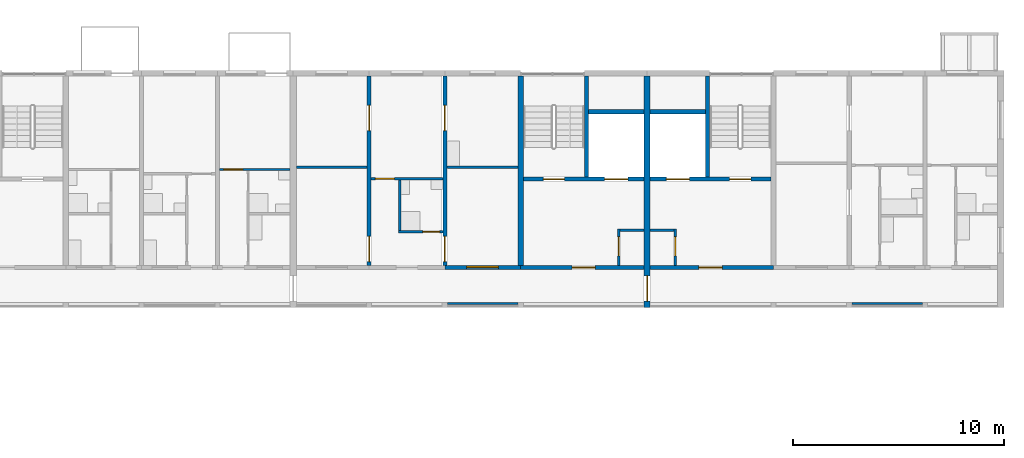
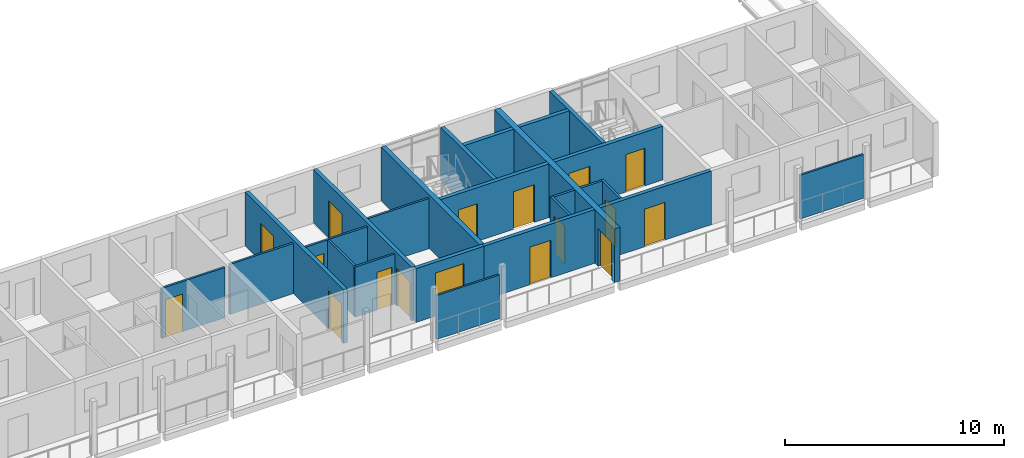
# One storey, part 57 of 98: 25 walls, 16 doors, 1 window, 17 openings.
"""IFC4 building model written with IfcOpenShell, lengths in metres."""

from ifc_helpers import new_model, si_unit, direction, frame, frame_2d, origin, place, context, subcontext, project, spatial, rectangle, extrude, material, layer, layer_set, type_object, element, fill, save


model = new_model("IFC4")

# Units and contexts
model_context = context("Model", 3, precision=1e-05, world=origin(), true_north=direction((0.0, 1.0)))
body_context = subcontext(model_context, "Body", "Model", "MODEL_VIEW")
ifc_project = project(units=[si_unit("LENGTHUNIT", "METRE"), si_unit("AREAUNIT", "SQUARE_METRE"), si_unit("VOLUMEUNIT", "CUBIC_METRE"), si_unit("PLANEANGLEUNIT", "RADIAN"), si_unit("MASSUNIT", "GRAM", prefix="KILO")], contexts=[model_context])

# Site, building, storey
site_placement = place(None, origin())
site = spatial("IfcSite", under=ifc_project, at=site_placement, CompositionType="ELEMENT")
building_placement = place(site_placement, origin())
building = spatial("IfcBuilding", under=site, at=building_placement, Name="Ridgestep Commons", CompositionType="ELEMENT")
storey_placement = place(building_placement, frame((0.0, 0.0, 12.0)))
storey = spatial("IfcBuildingStorey", under=building, at=storey_placement, Name="L04", CompositionType="ELEMENT", Elevation=12.0)

# Wall
ifc_material_1 = material(Name="Concrete C30/37", Category="concrete")
ifc_layer_1 = layer(ifc_material_1, 0.25)
ifc_layer_set_1 = layer_set([ifc_layer_1], Name="Core cross wall 250")
wall_type_1 = type_object("IfcWallType", Name="Core cross wall 250", PredefinedType="SHEAR", material=ifc_layer_set_1)
wall_1_placement = place(storey_placement, frame((224.800048828125, 68.0, 0.0), z_axis=(0.0, 0.0, 1.0), x_axis=(0.0, 1.0, 0.0)))
element("IfcWall", 1, at=wall_1_placement, inside=storey, type_object=wall_type_1, Name="Cross wall C-04-2248", PredefinedType="SHEAR", context=body_context, shape_type="SweptSolid", body=[
    extrude(rectangle(XDim=9.0, YDim=0.25, at=frame_2d((4.5, 0.0))), origin(), (0.0, 0.0, 1.0), 3.0),
])

# Wall, opening, door
ifc_material_2 = material(Name="Concrete C30/37", Category="concrete")
ifc_layer_2 = layer(ifc_material_2, 0.199951171875)
ifc_layer_set_2 = layer_set([ifc_layer_2], Name="Core south wall 200")
wall_type_2 = type_object("IfcWallType", Name="Core south wall 200", PredefinedType="SHEAR", material=ifc_layer_set_2)
wall_2_placement = place(storey_placement, frame((224.800048828125, 67.89990234375, 0.0), z_axis=(0.0, 0.0, 1.0), x_axis=(1.0, 0.0, 0.0)))
wall_2 = element("IfcWall", 2, at=wall_2_placement, inside=storey, type_object=wall_type_2, Name="Core south wall C5C L04", PredefinedType="SHEAR", context=body_context, shape_type="SweptSolid", body=[
    extrude(rectangle(XDim=5.849853515625, YDim=0.199951171875, at=frame_2d((2.9248046875, 0.0))), origin(), (0.0, 0.0, 1.0), 3.0),
])
opening_1_placement = place(wall_2_placement, frame((2.4375, 0.0, 0.0)))
opening_1 = element("IfcOpeningElement", 3, at=opening_1_placement, cuts=wall_2, Name="Opening C5C/04/1", PredefinedType="OPENING", context=body_context, shape_type="SweptSolid", body=[
    extrude(rectangle(XDim=1.10009765625, YDim=2.10009765625, at=frame_2d((0.550048828125, 1.050048828125))), frame((0.0, 0.10986328125, 0.0), z_axis=(0.0, -1.0, 0.0), x_axis=(1.0, 0.0, 0.0)), (0.0, 0.0, 1.0), 0.219970703125),
])
ifc_material_3 = material(Name="Steel fire door", Category="steel")
door_type_1 = type_object("IfcDoorType", Name="Lobby door 1100 x 2100 FD60", OperationType="NOTDEFINED", PredefinedType="DOOR", material=ifc_material_3)
door_1_placement = place(opening_1_placement, origin())
door_1 = element("IfcDoor", 4, at=door_1_placement, inside=storey, type_object=door_type_1, Name="Lobby door C5C/04/1", OperationType="SINGLE_SWING_LEFT", OverallHeight=2.10009765625, OverallWidth=1.10009765625, PredefinedType="DOOR", context=body_context, shape_type="SweptSolid", body=[
    extrude(rectangle(XDim=1.10009765625, YDim=2.10009765625, at=frame_2d((0.550048828125, 1.050048828125))), frame((0.0, 0.02490234375, 0.0), z_axis=(0.0, -1.0, 0.0), x_axis=(1.0, 0.0, 0.0)), (0.0, 0.0, 1.0), 0.050048828125),
])
fill(opening_1, door_1)

wall_3_placement = place(storey_placement, frame((230.949951171875, 67.89990234375, 0.0), z_axis=(0.0, 0.0, 1.0), x_axis=(1.0, 0.0, 0.0)))
wall_3 = element("IfcWall", 5, at=wall_3_placement, inside=storey, type_object=wall_type_2, Name="Core south wall C6C L04", PredefinedType="SHEAR", context=body_context, shape_type="SweptSolid", body=[
    extrude(rectangle(XDim=5.85009765625, YDim=0.199951171875, at=frame_2d((2.925048828125, 0.0))), origin(), (0.0, 0.0, 1.0), 3.0),
])
opening_2_placement = place(wall_3_placement, frame((2.3125, 0.0, 0.0)))
opening_2 = element("IfcOpeningElement", 6, at=opening_2_placement, cuts=wall_3, Name="Opening C6C/04/1", PredefinedType="OPENING", context=body_context, shape_type="SweptSolid", body=[
    extrude(rectangle(XDim=1.10009765625, YDim=2.10009765625, at=frame_2d((0.550048828125, 1.050048828125))), frame((0.0, 0.10986328125, 0.0), z_axis=(0.0, -1.0, 0.0), x_axis=(1.0, 0.0, 0.0)), (0.0, 0.0, 1.0), 0.219970703125),
])
door_2_placement = place(opening_2_placement, origin())
door_2 = element("IfcDoor", 7, at=door_2_placement, inside=storey, type_object=door_type_1, Name="Lobby door C6C/04/1", OperationType="SINGLE_SWING_LEFT", OverallHeight=2.10009765625, OverallWidth=1.10009765625, PredefinedType="DOOR", context=body_context, shape_type="SweptSolid", body=[
    extrude(rectangle(XDim=1.10009765625, YDim=2.10009765625, at=frame_2d((0.550048828125, 1.050048828125))), frame((0.0, 0.02490234375, 0.0), z_axis=(0.0, -1.0, 0.0), x_axis=(1.0, 0.0, 0.0)), (0.0, 0.0, 1.0), 0.050048828125),
])
fill(opening_2, door_2)

ifc_material_4 = material(Name="Concrete C30/37", Category="concrete")
ifc_layer_3 = layer(ifc_material_4, 0.1201171875)
ifc_layer_set_3 = layer_set([ifc_layer_3], Name="Core wall 120")
wall_type_3 = type_object("IfcWallType", Name="Core wall 120", PredefinedType="SHEAR", material=ifc_layer_set_3)
wall_4_placement = place(storey_placement, frame((229.4599609375, 68.0, 0.0), z_axis=(0.0, 0.0, 1.0), x_axis=(0.0, 1.0, 0.0)))
wall_4 = element("IfcWall", 8, at=wall_4_placement, inside=storey, type_object=wall_type_3, Name="Core riser w wall C5C L04", PredefinedType="SHEAR", context=body_context, shape_type="SweptSolid", body=[
    extrude(rectangle(XDim=1.719970703125, YDim=0.1201171875, at=frame_2d((0.85986328125, 0.0))), origin(), (0.0, 0.0, 1.0), 3.0),
])
opening_3_placement = place(wall_4_placement, frame((0.449951171875, 0.0, 0.0)))
opening_3 = element("IfcOpeningElement", 9, at=opening_3_placement, cuts=wall_4, Name="Opening C5C/04/4", PredefinedType="OPENING", context=body_context, shape_type="SweptSolid", body=[
    extrude(rectangle(XDim=0.89990234375, YDim=2.10009765625, at=frame_2d((0.449951171875, 1.050048828125))), frame((0.0, 0.070068359375, 0.0), z_axis=(0.0, -1.0, 0.0), x_axis=(1.0, 0.0, 0.0)), (0.0, 0.0, 1.0), 0.14013671875),
])
ifc_material_5 = material(Name="Steel fire door", Category="steel")
door_type_2 = type_object("IfcDoorType", Name="Riser door 900 x 2100 FD60", OperationType="NOTDEFINED", PredefinedType="DOOR", material=ifc_material_5)
door_3_placement = place(opening_3_placement, origin())
door_3 = element("IfcDoor", 10, at=door_3_placement, inside=storey, type_object=door_type_2, Name="Riser door C5C/04/4", OperationType="SINGLE_SWING_LEFT", OverallHeight=2.10009765625, OverallWidth=0.89990234375, PredefinedType="DOOR", context=body_context, shape_type="SweptSolid", body=[
    extrude(rectangle(XDim=0.89990234375, YDim=2.10009765625, at=frame_2d((0.449951171875, 1.050048828125))), frame((0.0, 0.02490234375, 0.0), z_axis=(0.0, -1.0, 0.0), x_axis=(1.0, 0.0, 0.0)), (0.0, 0.0, 1.0), 0.050048828125),
])
fill(opening_3, door_3)

# Wall
wall_5_placement = place(storey_placement, frame((229.52001953125, 69.659912109375, 0.0), z_axis=(0.0, 0.0, 1.0), x_axis=(1.0, 0.0, 0.0)))
element("IfcWall", 11, at=wall_5_placement, inside=storey, type_object=wall_type_3, Name="Core riser n wall C5C L04", PredefinedType="SHEAR", context=body_context, shape_type="SweptSolid", body=[
    extrude(rectangle(XDim=1.1298828125, YDim=0.1201171875, at=frame_2d((0.56494140625, 0.0))), origin(), (0.0, 0.0, 1.0), 3.0),
])

# Wall, opening, door
wall_6_placement = place(storey_placement, frame((232.139892578125, 68.0, 0.0), z_axis=(0.0, 0.0, 1.0), x_axis=(0.0, 1.0, 0.0)))
wall_6 = element("IfcWall", 12, at=wall_6_placement, inside=storey, type_object=wall_type_3, Name="Core riser w wall C6C L04", PredefinedType="SHEAR", context=body_context, shape_type="SweptSolid", body=[
    extrude(rectangle(XDim=1.719970703125, YDim=0.1201171875, at=frame_2d((0.85986328125, 0.0))), origin(), (0.0, 0.0, 1.0), 3.0),
])
opening_4_placement = place(wall_6_placement, frame((0.449951171875, 0.0, 0.0)))
opening_4 = element("IfcOpeningElement", 13, at=opening_4_placement, cuts=wall_6, Name="Opening C6C/04/4", PredefinedType="OPENING", context=body_context, shape_type="SweptSolid", body=[
    extrude(rectangle(XDim=0.89990234375, YDim=2.10009765625, at=frame_2d((0.449951171875, 1.050048828125))), frame((0.0, 0.070068359375, 0.0), z_axis=(0.0, -1.0, 0.0), x_axis=(1.0, 0.0, 0.0)), (0.0, 0.0, 1.0), 0.14013671875),
])
door_4_placement = place(opening_4_placement, origin())
door_4 = element("IfcDoor", 14, at=door_4_placement, inside=storey, type_object=door_type_2, Name="Riser door C6C/04/4", OperationType="SINGLE_SWING_RIGHT", OverallHeight=2.10009765625, OverallWidth=0.89990234375, PredefinedType="DOOR", context=body_context, shape_type="SweptSolid", body=[
    extrude(rectangle(XDim=0.89990234375, YDim=2.10009765625, at=frame_2d((0.449951171875, 1.050048828125))), frame((0.0, 0.02490234375, 0.0), z_axis=(0.0, -1.0, 0.0), x_axis=(1.0, 0.0, 0.0)), (0.0, 0.0, 1.0), 0.050048828125),
])
fill(opening_4, door_4)

# Wall
wall_7_placement = place(storey_placement, frame((230.949951171875, 69.659912109375, 0.0), z_axis=(0.0, 0.0, 1.0), x_axis=(1.0, 0.0, 0.0)))
element("IfcWall", 15, at=wall_7_placement, inside=storey, type_object=wall_type_3, Name="Core riser n wall C6C L04", PredefinedType="SHEAR", context=body_context, shape_type="SweptSolid", body=[
    extrude(rectangle(XDim=1.130126953125, YDim=0.1201171875, at=frame_2d((0.56494140625, 0.0))), origin(), (0.0, 0.0, 1.0), 3.0),
])

# Wall, openings, doors
ifc_material_6 = material(Name="Concrete C30/37", Category="concrete")
ifc_layer_4 = layer(ifc_material_6, 0.199951171875)
ifc_layer_set_4 = layer_set([ifc_layer_4], Name="Core wall 200")
wall_type_4 = type_object("IfcWallType", Name="Core wall 200", PredefinedType="SHEAR", material=ifc_layer_set_4)
wall_8_placement = place(storey_placement, frame((224.925048828125, 72.10009765625, 0.0), z_axis=(0.0, 0.0, 1.0), x_axis=(1.0, 0.0, 0.0)))
wall_8 = element("IfcWall", 16, at=wall_8_placement, inside=storey, type_object=wall_type_4, Name="Core lobby wall C5C L04", PredefinedType="SHEAR", context=body_context, shape_type="SweptSolid", body=[
    extrude(rectangle(XDim=5.724853515625, YDim=0.199951171875, at=frame_2d((2.8623046875, 0.0))), origin(), (0.0, 0.0, 1.0), 3.0),
])
opening_5_placement = place(wall_8_placement, frame((0.949951171875, 0.0, 0.0)))
opening_5 = element("IfcOpeningElement", 17, at=opening_5_placement, cuts=wall_8, Name="Opening C5C/04/2", PredefinedType="OPENING", context=body_context, shape_type="SweptSolid", body=[
    extrude(rectangle(XDim=1.0, YDim=2.10009765625, at=frame_2d((0.5, 1.050048828125))), frame((0.0, 0.10986328125, 0.0), z_axis=(0.0, -1.0, 0.0), x_axis=(1.0, 0.0, 0.0)), (0.0, 0.0, 1.0), 0.219970703125),
])
opening_6_placement = place(wall_8_placement, frame((3.862548828125, 0.0, 0.0)))
opening_6 = element("IfcOpeningElement", 18, at=opening_6_placement, cuts=wall_8, Name="Opening C5C/04/3", PredefinedType="OPENING", context=body_context, shape_type="SweptSolid", body=[
    extrude(rectangle(XDim=1.10009765625, YDim=2.10009765625, at=frame_2d((0.550048828125, 1.050048828125))), frame((0.0, 0.10986328125, 0.0), z_axis=(0.0, -1.0, 0.0), x_axis=(1.0, 0.0, 0.0)), (0.0, 0.0, 1.0), 0.219970703125),
])
ifc_material_7 = material(Name="Stainless steel", Category="steel")
door_type_3 = type_object("IfcDoorType", Name="Lift landing door 1100 x 2100 FD60", OperationType="DOUBLE_DOOR_SLIDING", PredefinedType="DOOR", material=ifc_material_7)
door_5_placement = place(opening_6_placement, origin())
door_5 = element("IfcDoor", 19, at=door_5_placement, inside=storey, type_object=door_type_3, Name="Landing door LD C5C L04", OperationType="DOUBLE_DOOR_SLIDING", OverallHeight=2.10009765625, OverallWidth=1.10009765625, PredefinedType="DOOR", context=body_context, shape_type="SweptSolid", body=[
    extrude(rectangle(XDim=1.10009765625, YDim=2.10009765625, at=frame_2d((0.550048828125, 1.050048828125))), frame((0.0, 0.02490234375, 0.0), z_axis=(0.0, -1.0, 0.0), x_axis=(1.0, 0.0, 0.0)), (0.0, 0.0, 1.0), 0.050048828125),
])
fill(opening_6, door_5)
ifc_material_8 = material(Name="Steel fire door", Category="steel")
door_type_4 = type_object("IfcDoorType", Name="Stair door 1000 x 2100 FD60", OperationType="NOTDEFINED", PredefinedType="DOOR", material=ifc_material_8)
door_6_placement = place(opening_5_placement, origin())
door_6 = element("IfcDoor", 20, at=door_6_placement, inside=storey, type_object=door_type_4, Name="Stair door C5C/04/2", OperationType="SINGLE_SWING_RIGHT", OverallHeight=2.10009765625, OverallWidth=1.0, PredefinedType="DOOR", context=body_context, shape_type="SweptSolid", body=[
    extrude(rectangle(XDim=1.0, YDim=2.10009765625, at=frame_2d((0.5, 1.050048828125))), frame((0.0, 0.02490234375, 0.0), z_axis=(0.0, -1.0, 0.0), x_axis=(1.0, 0.0, 0.0)), (0.0, 0.0, 1.0), 0.050048828125),
])
fill(opening_5, door_6)

# Walls
wall_9_placement = place(storey_placement, frame((227.925048828125, 72.199951171875, 0.0), z_axis=(0.0, 0.0, 1.0), x_axis=(0.0, 1.0, 0.0)))
element("IfcWall", 21, at=wall_9_placement, inside=storey, type_object=wall_type_4, Name="Core stair wall C5C L04", PredefinedType="SHEAR", context=body_context, shape_type="SweptSolid", body=[
    extrude(rectangle(XDim=4.800048828125, YDim=0.199951171875, at=frame_2d((2.39990234375, 0.0))), origin(), (0.0, 0.0, 1.0), 3.0),
])
wall_10_placement = place(storey_placement, frame((228.02490234375, 75.300048828125, 0.0), z_axis=(0.0, 0.0, 1.0), x_axis=(1.0, 0.0, 0.0)))
element("IfcWall", 22, at=wall_10_placement, inside=storey, type_object=wall_type_4, Name="Core duct wall C5C L04", PredefinedType="SHEAR", context=body_context, shape_type="SweptSolid", body=[
    extrude(rectangle(XDim=2.625, YDim=0.199951171875, at=frame_2d((1.3125, 0.0))), origin(), (0.0, 0.0, 1.0), 3.0),
])

# Wall, openings, doors
wall_11_placement = place(storey_placement, frame((230.949951171875, 72.10009765625, 0.0), z_axis=(0.0, 0.0, 1.0), x_axis=(1.0, 0.0, 0.0)))
wall_11 = element("IfcWall", 23, at=wall_11_placement, inside=storey, type_object=wall_type_4, Name="Core lobby wall C6C L04", PredefinedType="SHEAR", context=body_context, shape_type="SweptSolid", body=[
    extrude(rectangle(XDim=5.72509765625, YDim=0.199951171875, at=frame_2d((2.862548828125, 0.0))), origin(), (0.0, 0.0, 1.0), 3.0),
])
opening_7_placement = place(wall_11_placement, frame((3.77490234375, 0.0, 0.0)))
opening_7 = element("IfcOpeningElement", 24, at=opening_7_placement, cuts=wall_11, Name="Opening C6C/04/2", PredefinedType="OPENING", context=body_context, shape_type="SweptSolid", body=[
    extrude(rectangle(XDim=1.0, YDim=2.10009765625, at=frame_2d((0.5, 1.050048828125))), frame((0.0, 0.10986328125, 0.0), z_axis=(0.0, -1.0, 0.0), x_axis=(1.0, 0.0, 0.0)), (0.0, 0.0, 1.0), 0.219970703125),
])
opening_8_placement = place(wall_11_placement, frame((0.762451171875, 0.0, 0.0)))
opening_8 = element("IfcOpeningElement", 25, at=opening_8_placement, cuts=wall_11, Name="Opening C6C/04/3", PredefinedType="OPENING", context=body_context, shape_type="SweptSolid", body=[
    extrude(rectangle(XDim=1.10009765625, YDim=2.10009765625, at=frame_2d((0.550048828125, 1.050048828125))), frame((0.0, 0.10986328125, 0.0), z_axis=(0.0, -1.0, 0.0), x_axis=(1.0, 0.0, 0.0)), (0.0, 0.0, 1.0), 0.219970703125),
])
door_7_placement = place(opening_8_placement, origin())
door_7 = element("IfcDoor", 26, at=door_7_placement, inside=storey, type_object=door_type_3, Name="Landing door LD C6C L04", OperationType="DOUBLE_DOOR_SLIDING", OverallHeight=2.10009765625, OverallWidth=1.10009765625, PredefinedType="DOOR", context=body_context, shape_type="SweptSolid", body=[
    extrude(rectangle(XDim=1.10009765625, YDim=2.10009765625, at=frame_2d((0.550048828125, 1.050048828125))), frame((0.0, 0.02490234375, 0.0), z_axis=(0.0, -1.0, 0.0), x_axis=(1.0, 0.0, 0.0)), (0.0, 0.0, 1.0), 0.050048828125),
])
fill(opening_8, door_7)
door_8_placement = place(opening_7_placement, origin())
door_8 = element("IfcDoor", 27, at=door_8_placement, inside=storey, type_object=door_type_4, Name="Stair door C6C/04/2", OperationType="SINGLE_SWING_RIGHT", OverallHeight=2.10009765625, OverallWidth=1.0, PredefinedType="DOOR", context=body_context, shape_type="SweptSolid", body=[
    extrude(rectangle(XDim=1.0, YDim=2.10009765625, at=frame_2d((0.5, 1.050048828125))), frame((0.0, 0.02490234375, 0.0), z_axis=(0.0, -1.0, 0.0), x_axis=(1.0, 0.0, 0.0)), (0.0, 0.0, 1.0), 0.050048828125),
])
fill(opening_7, door_8)

# Walls
wall_12_placement = place(storey_placement, frame((233.675048828125, 72.199951171875, 0.0), z_axis=(0.0, 0.0, 1.0), x_axis=(0.0, 1.0, 0.0)))
element("IfcWall", 28, at=wall_12_placement, inside=storey, type_object=wall_type_4, Name="Core stair wall C6C L04", PredefinedType="SHEAR", context=body_context, shape_type="SweptSolid", body=[
    extrude(rectangle(XDim=4.800048828125, YDim=0.199951171875, at=frame_2d((2.39990234375, 0.0))), origin(), (0.0, 0.0, 1.0), 3.0),
])
wall_13_placement = place(storey_placement, frame((230.949951171875, 75.300048828125, 0.0), z_axis=(0.0, 0.0, 1.0), x_axis=(1.0, 0.0, 0.0)))
element("IfcWall", 29, at=wall_13_placement, inside=storey, type_object=wall_type_4, Name="Core duct wall C6C L04", PredefinedType="SHEAR", context=body_context, shape_type="SweptSolid", body=[
    extrude(rectangle(XDim=2.625, YDim=0.199951171875, at=frame_2d((1.3125, 0.0))), origin(), (0.0, 0.0, 1.0), 3.0),
])

# Wall, openings, doors
ifc_material_9 = material(Name="Precast concrete C40/50", Category="concrete")
ifc_layer_5 = layer(ifc_material_9, 0.199951171875)
ifc_layer_set_5 = layer_set([ifc_layer_5], Name="Cross wall 200")
wall_type_5 = type_object("IfcWallType", Name="Cross wall 200", PredefinedType="SHEAR", material=ifc_layer_set_5)
wall_14_placement = place(storey_placement, frame((217.60009765625, 68.0, 0.0), z_axis=(0.0, 0.0, 1.0), x_axis=(0.0, 1.0, 0.0)))
wall_14 = element("IfcWall", 30, at=wall_14_placement, inside=storey, type_object=wall_type_5, Name="Cross wall C-04-2176", PredefinedType="SHEAR", context=body_context, shape_type="SweptSolid", body=[
    extrude(rectangle(XDim=9.0, YDim=0.199951171875, at=frame_2d((4.5, 0.0))), origin(), (0.0, 0.0, 1.0), 3.0),
])
opening_9_placement = place(wall_14_placement, frame((0.175048828125, 0.0, 0.0)))
opening_9 = element("IfcOpeningElement", 31, at=opening_9_placement, cuts=wall_14, Name="Opening C5-04a/4", PredefinedType="OPENING", context=body_context, shape_type="SweptSolid", body=[
    extrude(rectangle(XDim=1.199951171875, YDim=2.10009765625, at=frame_2d((0.60009765625, 1.050048828125))), frame((0.0, 0.10986328125, 0.0), z_axis=(0.0, -1.0, 0.0), x_axis=(1.0, 0.0, 0.0)), (0.0, 0.0, 1.0), 0.219970703125),
])
opening_10_placement = place(wall_14_placement, frame((6.39990234375, 0.0, 0.0)))
opening_10 = element("IfcOpeningElement", 32, at=opening_10_placement, cuts=wall_14, Name="Opening C5-04a/5", PredefinedType="OPENING", context=body_context, shape_type="SweptSolid", body=[
    extrude(rectangle(XDim=1.199951171875, YDim=2.10009765625, at=frame_2d((0.60009765625, 1.050048828125))), frame((0.0, 0.10986328125, 0.0), z_axis=(0.0, -1.0, 0.0), x_axis=(1.0, 0.0, 0.0)), (0.0, 0.0, 1.0), 0.219970703125),
])
ifc_material_10 = material(Name="Timber door leaf", Category="wood")
door_type_5 = type_object("IfcDoorType", Name="Double door 1200 x 2100", OperationType="DOUBLE_DOOR_SINGLE_SWING", PredefinedType="DOOR", material=ifc_material_10)
door_9_placement = place(opening_9_placement, origin())
door_9 = element("IfcDoor", 33, at=door_9_placement, inside=storey, type_object=door_type_5, Name="Double door C5-04a/4", OperationType="DOUBLE_DOOR_SINGLE_SWING", OverallHeight=2.10009765625, OverallWidth=1.199951171875, PredefinedType="DOOR", context=body_context, shape_type="SweptSolid", body=[
    extrude(rectangle(XDim=1.199951171875, YDim=2.10009765625, at=frame_2d((0.60009765625, 1.050048828125))), frame((0.0, 0.02490234375, 0.0), z_axis=(0.0, -1.0, 0.0), x_axis=(1.0, 0.0, 0.0)), (0.0, 0.0, 1.0), 0.050048828125),
])
fill(opening_9, door_9)
door_10_placement = place(opening_10_placement, origin())
door_10 = element("IfcDoor", 34, at=door_10_placement, inside=storey, type_object=door_type_5, Name="Double door C5-04a/5", OperationType="DOUBLE_DOOR_SINGLE_SWING", OverallHeight=2.10009765625, OverallWidth=1.199951171875, PredefinedType="DOOR", context=body_context, shape_type="SweptSolid", body=[
    extrude(rectangle(XDim=1.199951171875, YDim=2.10009765625, at=frame_2d((0.60009765625, 1.050048828125))), frame((0.0, 0.02490234375, 0.0), z_axis=(0.0, -1.0, 0.0), x_axis=(1.0, 0.0, 0.0)), (0.0, 0.0, 1.0), 0.050048828125),
])
fill(opening_10, door_10)

wall_15_placement = place(storey_placement, frame((221.199951171875, 68.0, 0.0), z_axis=(0.0, 0.0, 1.0), x_axis=(0.0, 1.0, 0.0)))
wall_15 = element("IfcWall", 35, at=wall_15_placement, inside=storey, type_object=wall_type_5, Name="Cross wall C-04-2212", PredefinedType="SHEAR", context=body_context, shape_type="SweptSolid", body=[
    extrude(rectangle(XDim=9.0, YDim=0.199951171875, at=frame_2d((4.5, 0.0))), origin(), (0.0, 0.0, 1.0), 3.0),
])
opening_11_placement = place(wall_15_placement, frame((0.175048828125, 0.0, 0.0)))
opening_11 = element("IfcOpeningElement", 36, at=opening_11_placement, cuts=wall_15, Name="Opening C5-04a/6", PredefinedType="OPENING", context=body_context, shape_type="SweptSolid", body=[
    extrude(rectangle(XDim=1.199951171875, YDim=2.10009765625, at=frame_2d((0.60009765625, 1.050048828125))), frame((0.0, 0.10986328125, 0.0), z_axis=(0.0, -1.0, 0.0), x_axis=(1.0, 0.0, 0.0)), (0.0, 0.0, 1.0), 0.219970703125),
])
opening_12_placement = place(wall_15_placement, frame((6.39990234375, 0.0, 0.0)))
opening_12 = element("IfcOpeningElement", 37, at=opening_12_placement, cuts=wall_15, Name="Opening C5-04a/7", PredefinedType="OPENING", context=body_context, shape_type="SweptSolid", body=[
    extrude(rectangle(XDim=1.199951171875, YDim=2.10009765625, at=frame_2d((0.60009765625, 1.050048828125))), frame((0.0, 0.10986328125, 0.0), z_axis=(0.0, -1.0, 0.0), x_axis=(1.0, 0.0, 0.0)), (0.0, 0.0, 1.0), 0.219970703125),
])
door_11_placement = place(opening_11_placement, origin())
door_11 = element("IfcDoor", 38, at=door_11_placement, inside=storey, type_object=door_type_5, Name="Double door C5-04a/6", OperationType="DOUBLE_DOOR_SINGLE_SWING", OverallHeight=2.10009765625, OverallWidth=1.199951171875, PredefinedType="DOOR", context=body_context, shape_type="SweptSolid", body=[
    extrude(rectangle(XDim=1.199951171875, YDim=2.10009765625, at=frame_2d((0.60009765625, 1.050048828125))), frame((0.0, 0.02490234375, 0.0), z_axis=(0.0, -1.0, 0.0), x_axis=(1.0, 0.0, 0.0)), (0.0, 0.0, 1.0), 0.050048828125),
])
fill(opening_11, door_11)
door_12_placement = place(opening_12_placement, origin())
door_12 = element("IfcDoor", 39, at=door_12_placement, inside=storey, type_object=door_type_5, Name="Double door C5-04a/7", OperationType="DOUBLE_DOOR_SINGLE_SWING", OverallHeight=2.10009765625, OverallWidth=1.199951171875, PredefinedType="DOOR", context=body_context, shape_type="SweptSolid", body=[
    extrude(rectangle(XDim=1.199951171875, YDim=2.10009765625, at=frame_2d((0.60009765625, 1.050048828125))), frame((0.0, 0.02490234375, 0.0), z_axis=(0.0, -1.0, 0.0), x_axis=(1.0, 0.0, 0.0)), (0.0, 0.0, 1.0), 0.050048828125),
])
fill(opening_12, door_12)

# Wall, opening, door
ifc_material_11 = material(Name="Precast concrete C40/50", Category="concrete")
ifc_layer_6 = layer(ifc_material_11, 0.300048828125)
ifc_layer_set_6 = layer_set([ifc_layer_6], Name="Division wall 300")
wall_type_6 = type_object("IfcWallType", Name="Division wall 300", PredefinedType="SHEAR", material=ifc_layer_set_6)
wall_16_placement = place(storey_placement, frame((230.800048828125, 66.0, 0.0), z_axis=(0.0, 0.0, 1.0), x_axis=(0.0, 1.0, 0.0)))
wall_16 = element("IfcWall", 40, at=wall_16_placement, inside=storey, type_object=wall_type_6, Name="Cross wall C-04-2308", PredefinedType="SHEAR", context=body_context, shape_type="SweptSolid", body=[
    extrude(rectangle(XDim=11.0, YDim=0.300048828125, at=frame_2d((5.5, 0.0))), origin(), (0.0, 0.0, 1.0), 3.0),
])
opening_13_placement = place(wall_16_placement, frame((0.300048828125, 0.0, 0.0)))
opening_13 = element("IfcOpeningElement", 41, at=opening_13_placement, cuts=wall_16, Name="Opening C/04/G2308", PredefinedType="OPENING", context=body_context, shape_type="SweptSolid", body=[
    extrude(rectangle(XDim=1.199951171875, YDim=2.10009765625, at=frame_2d((0.60009765625, 1.050048828125))), frame((0.0, 0.159912109375, 0.0), z_axis=(0.0, -1.0, 0.0), x_axis=(1.0, 0.0, 0.0)), (0.0, 0.0, 1.0), 0.320068359375),
])
ifc_material_12 = material(Name="Steel fire door", Category="steel")
door_type_6 = type_object("IfcDoorType", Name="Division fire door 1200 x 2100 EI 240", OperationType="DOUBLE_DOOR_SINGLE_SWING", PredefinedType="DOOR", material=ifc_material_12)
door_13_placement = place(opening_13_placement, origin())
door_13 = element("IfcDoor", 42, at=door_13_placement, inside=storey, type_object=door_type_6, Name="Division fire door C/04/G2308", OperationType="DOUBLE_DOOR_SINGLE_SWING", OverallHeight=2.10009765625, OverallWidth=1.199951171875, PredefinedType="DOOR", context=body_context, shape_type="SweptSolid", body=[
    extrude(rectangle(XDim=1.199951171875, YDim=2.10009765625, at=frame_2d((0.60009765625, 1.050048828125))), frame((0.0, 0.02490234375, 0.0), z_axis=(0.0, -1.0, 0.0), x_axis=(1.0, 0.0, 0.0)), (0.0, 0.0, 1.0), 0.050048828125),
])
fill(opening_13, door_13)

ifc_material_13 = material(Name="Common brick 110 mm", Category="masonry")
ifc_layer_7 = layer(ifc_material_13, 0.110107421875)
ifc_layer_set_7 = layer_set([ifc_layer_7], Name="Partition 110")
wall_type_7 = type_object("IfcWallType", Name="Partition 110", PredefinedType="PARTITIONING", material=ifc_layer_set_7)
wall_17_placement = place(storey_placement, frame((210.5, 72.554931640625, 0.0), z_axis=(0.0, 0.0, 1.0), x_axis=(1.0, 0.0, 0.0)))
wall_17 = element("IfcWall", 43, at=wall_17_placement, inside=storey, type_object=wall_type_7, Name="Partition C4-04a", PredefinedType="PARTITIONING", context=body_context, shape_type="SweptSolid", body=[
    extrude(rectangle(XDim=3.35009765625, YDim=0.110107421875, at=frame_2d((1.675048828125, 0.0))), origin(), (0.0, 0.0, 1.0), 2.800048828125),
])
opening_14_placement = place(wall_17_placement, frame((0.199951171875, 0.0, 0.0)))
opening_14 = element("IfcOpeningElement", 44, at=opening_14_placement, cuts=wall_17, Name="Opening C4-04a/4", PredefinedType="OPENING", context=body_context, shape_type="SweptSolid", body=[
    extrude(rectangle(XDim=0.89990234375, YDim=2.10009765625, at=frame_2d((0.449951171875, 1.050048828125))), frame((0.0, 0.06494140625, 0.0), z_axis=(0.0, -1.0, 0.0), x_axis=(1.0, 0.0, 0.0)), (0.0, 0.0, 1.0), 0.130126953125),
])
ifc_material_14 = material(Name="Timber door leaf", Category="wood")
door_type_7 = type_object("IfcDoorType", Name="Internal door 900 x 2100", OperationType="NOTDEFINED", PredefinedType="DOOR", material=ifc_material_14)
door_14_placement = place(opening_14_placement, origin())
door_14 = element("IfcDoor", 45, at=door_14_placement, inside=storey, type_object=door_type_7, Name="Internal door C4-04a/4", OperationType="SINGLE_SWING_LEFT", OverallHeight=2.10009765625, OverallWidth=0.89990234375, PredefinedType="DOOR", context=body_context, shape_type="SweptSolid", body=[
    extrude(rectangle(XDim=0.89990234375, YDim=2.10009765625, at=frame_2d((0.449951171875, 1.050048828125))), frame((0.0, 0.02490234375, 0.0), z_axis=(0.0, -1.0, 0.0), x_axis=(1.0, 0.0, 0.0)), (0.0, 0.0, 1.0), 0.050048828125),
])
fill(opening_14, door_14)

wall_18_placement = place(storey_placement, frame((219.0, 69.60498046875, 0.0), z_axis=(0.0, 0.0, 1.0), x_axis=(1.0, 0.0, 0.0)))
wall_18 = element("IfcWall", 46, at=wall_18_placement, inside=storey, type_object=wall_type_7, Name="Partition C5-04a", PredefinedType="PARTITIONING", context=body_context, shape_type="SweptSolid", body=[
    extrude(rectangle(XDim=2.10009765625, YDim=0.110107421875, at=frame_2d((1.050048828125, 0.0))), origin(), (0.0, 0.0, 1.0), 2.800048828125),
])
opening_15_placement = place(wall_18_placement, frame((1.14990234375, 0.0, 0.0)))
opening_15 = element("IfcOpeningElement", 47, at=opening_15_placement, cuts=wall_18, Name="Opening C5-04a/2", PredefinedType="OPENING", context=body_context, shape_type="SweptSolid", body=[
    extrude(rectangle(XDim=0.800048828125, YDim=2.10009765625, at=frame_2d((0.39990234375, 1.050048828125))), frame((0.0, 0.06494140625, 0.0), z_axis=(0.0, -1.0, 0.0), x_axis=(1.0, 0.0, 0.0)), (0.0, 0.0, 1.0), 0.130126953125),
])
ifc_material_15 = material(Name="Timber door leaf", Category="wood")
door_type_8 = type_object("IfcDoorType", Name="Internal door 800 x 2100", OperationType="NOTDEFINED", PredefinedType="DOOR", material=ifc_material_15)
door_15_placement = place(opening_15_placement, origin())
door_15 = element("IfcDoor", 48, at=door_15_placement, inside=storey, type_object=door_type_8, Name="Internal door C5-04a/2", OperationType="SINGLE_SWING_RIGHT", OverallHeight=2.10009765625, OverallWidth=0.800048828125, PredefinedType="DOOR", context=body_context, shape_type="SweptSolid", body=[
    extrude(rectangle(XDim=0.800048828125, YDim=2.10009765625, at=frame_2d((0.39990234375, 1.050048828125))), frame((0.0, 0.02490234375, 0.0), z_axis=(0.0, -1.0, 0.0), x_axis=(1.0, 0.0, 0.0)), (0.0, 0.0, 1.0), 0.050048828125),
])
fill(opening_15, door_15)

# Wall
wall_19_placement = place(storey_placement, frame((219.054931640625, 69.659912109375, 0.0), z_axis=(0.0, 0.0, 1.0), x_axis=(0.0, 1.0, 0.0)))
element("IfcWall", 49, at=wall_19_placement, inside=storey, type_object=wall_type_7, Name="Partition C5-04a", PredefinedType="PARTITIONING", context=body_context, shape_type="SweptSolid", body=[
    extrude(rectangle(XDim=2.400146484375, YDim=0.110107421875, at=frame_2d((1.2001953125, 0.0))), origin(), (0.0, 0.0, 1.0), 2.800048828125),
])

# Wall, opening, door
wall_20_placement = place(storey_placement, frame((217.699951171875, 72.114990234375, 0.0), z_axis=(0.0, 0.0, 1.0), x_axis=(1.0, 0.0, 0.0)))
wall_20 = element("IfcWall", 50, at=wall_20_placement, inside=storey, type_object=wall_type_7, Name="Partition C5-04a", PredefinedType="PARTITIONING", context=body_context, shape_type="SweptSolid", body=[
    extrude(rectangle(XDim=3.400146484375, YDim=0.110107421875, at=frame_2d((1.7001953125, 0.0))), origin(), (0.0, 0.0, 1.0), 2.800048828125),
])
opening_16_placement = place(wall_20_placement, frame((0.199951171875, 0.0, 0.0)))
opening_16 = element("IfcOpeningElement", 51, at=opening_16_placement, cuts=wall_20, Name="Opening C5-04a/3", PredefinedType="OPENING", context=body_context, shape_type="SweptSolid", body=[
    extrude(rectangle(XDim=0.89990234375, YDim=2.10009765625, at=frame_2d((0.449951171875, 1.050048828125))), frame((0.0, 0.06494140625, 0.0), z_axis=(0.0, -1.0, 0.0), x_axis=(1.0, 0.0, 0.0)), (0.0, 0.0, 1.0), 0.130126953125),
])
door_16_placement = place(opening_16_placement, origin())
door_16 = element("IfcDoor", 52, at=door_16_placement, inside=storey, type_object=door_type_7, Name="Internal door C5-04a/3", OperationType="SINGLE_SWING_LEFT", OverallHeight=2.10009765625, OverallWidth=0.89990234375, PredefinedType="DOOR", context=body_context, shape_type="SweptSolid", body=[
    extrude(rectangle(XDim=0.89990234375, YDim=2.10009765625, at=frame_2d((0.449951171875, 1.050048828125))), frame((0.0, 0.02490234375, 0.0), z_axis=(0.0, -1.0, 0.0), x_axis=(1.0, 0.0, 0.0)), (0.0, 0.0, 1.0), 0.050048828125),
])
fill(opening_16, door_16)

# Walls
wall_21_placement = place(storey_placement, frame((214.14990234375, 72.655029296875, 0.0), z_axis=(0.0, 0.0, 1.0), x_axis=(1.0, 0.0, 0.0)))
element("IfcWall", 53, at=wall_21_placement, inside=storey, type_object=wall_type_7, Name="Partition C5-04a", PredefinedType="PARTITIONING", context=body_context, shape_type="SweptSolid", body=[
    extrude(rectangle(XDim=3.35009765625, YDim=0.110107421875, at=frame_2d((1.675048828125, 0.0))), origin(), (0.0, 0.0, 1.0), 2.800048828125),
])
wall_22_placement = place(storey_placement, frame((221.300048828125, 72.655029296875, 0.0), z_axis=(0.0, 0.0, 1.0), x_axis=(1.0, 0.0, 0.0)))
element("IfcWall", 54, at=wall_22_placement, inside=storey, type_object=wall_type_7, Name="Partition C5-04a", PredefinedType="PARTITIONING", context=body_context, shape_type="SweptSolid", body=[
    extrude(rectangle(XDim=3.375, YDim=0.110107421875, at=frame_2d((1.6875, 0.0))), origin(), (0.0, 0.0, 1.0), 2.800048828125),
])
ifc_material_16 = material(Name="Precast concrete C30/37", Category="concrete")
ifc_layer_8 = layer(ifc_material_16, 0.10009765625)
ifc_layer_set_8 = layer_set([ifc_layer_8], Name="Perforated gallery screen 3350 x 2450 x 100")
wall_type_8 = type_object("IfcWallType", Name="Perforated gallery screen 3350 x 2450 x 100", PredefinedType="SOLIDWALL", material=ifc_layer_set_8)
for number, where, z_axis, x_axis, name in (
    (55, (221.324951171875, 66.199951171875, 0.0), (0.0, 0.0, 1.0), (1.0, 0.0, 0.0), "Gallery screen C5T3 04"),
    (56, (240.52490234375, 66.199951171875, 0.0), (0.0, 0.0, 1.0), (1.0, 0.0, 0.0), "Gallery screen C6T2 04"),
):
    element("IfcWall", number, at=place(storey_placement, frame(where, z_axis=z_axis, x_axis=x_axis)), inside=storey, type_object=wall_type_8, Name=name, PredefinedType="SOLIDWALL", context=body_context, shape_type="SweptSolid", body=[
        extrude(rectangle(XDim=3.35009765625, YDim=0.10009765625, at=frame_2d((1.675048828125, 0.0))), origin(), (0.0, 0.0, 1.0), 2.449951171875),
    ])

# Wall, opening, window
ifc_material_17 = material(Name="Precast concrete C40/50", Category="concrete")
ifc_layer_9 = layer(ifc_material_17, 0.199951171875)
ifc_layer_set_9 = layer_set([ifc_layer_9], Name="South facade panel 200")
wall_type_9 = type_object("IfcWallType", Name="South facade panel 200", PredefinedType="SOLIDWALL", material=ifc_layer_set_9)
wall_23_placement = place(storey_placement, frame((221.199951171875, 67.89990234375, 0.0), z_axis=(0.0, 0.0, 1.0), x_axis=(1.0, 0.0, 0.0)))
wall_23 = element("IfcWall", 57, at=wall_23_placement, inside=storey, type_object=wall_type_9, Name="South panel C5T3 L04", PredefinedType="SOLIDWALL", context=body_context, shape_type="SweptSolid", body=[
    extrude(rectangle(XDim=3.60009765625, YDim=0.199951171875, at=frame_2d((1.800048828125, 0.0))), origin(), (0.0, 0.0, 1.0), 3.0),
])
opening_17_placement = place(wall_23_placement, frame((1.03759765625, 0.0, 0.89990234375)))
opening_17 = element("IfcOpeningElement", 58, at=opening_17_placement, cuts=wall_23, Name="Opening W16", PredefinedType="OPENING", context=body_context, shape_type="SweptSolid", body=[
    extrude(rectangle(XDim=1.5, YDim=1.5, at=frame_2d((0.75, 0.75))), frame((0.0, 0.10986328125, 0.0), z_axis=(0.0, -1.0, 0.0), x_axis=(1.0, 0.0, 0.0)), (0.0, 0.0, 1.0), 0.219970703125),
])
ifc_material_18 = material(Name="Aluminium 6063-T6 and glass", Category="aluminium")
window_type = type_object("IfcWindowType", Name="Flat window 1500 x 1500", PartitioningType="DOUBLE_PANEL_VERTICAL", PredefinedType="WINDOW", material=ifc_material_18)
window_placement = place(opening_17_placement, origin())
window = element("IfcWindow", 59, at=window_placement, inside=storey, type_object=window_type, Name="Window C5-04a 3", OverallHeight=1.5, OverallWidth=1.5, PartitioningType="SINGLE_PANEL", PredefinedType="WINDOW", context=body_context, shape_type="SweptSolid", body=[
    extrude(rectangle(XDim=1.5, YDim=1.5, at=frame_2d((0.75, 0.75))), frame((0.0, 0.06005859375, 0.0), z_axis=(0.0, -1.0, 0.0), x_axis=(1.0, 0.0, 0.0)), (0.0, 0.0, 1.0), 0.06005859375),
])
fill(opening_17, window)

save(model, "model.ifc")
